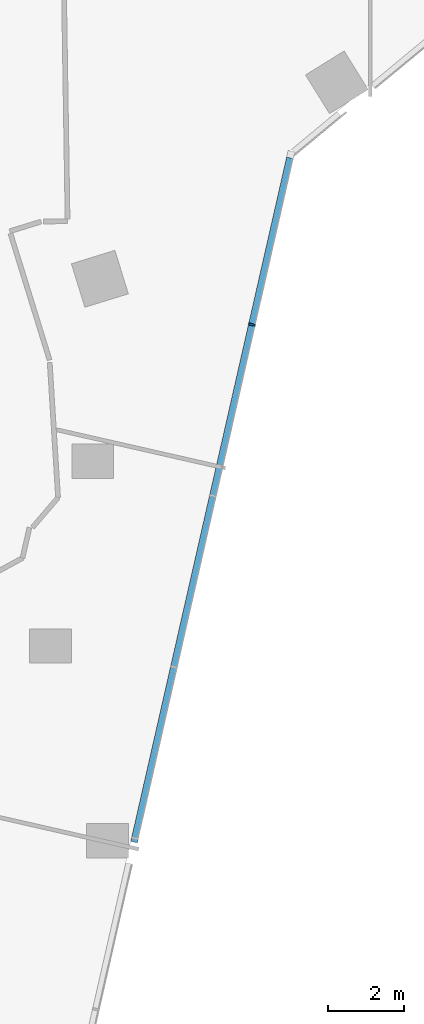
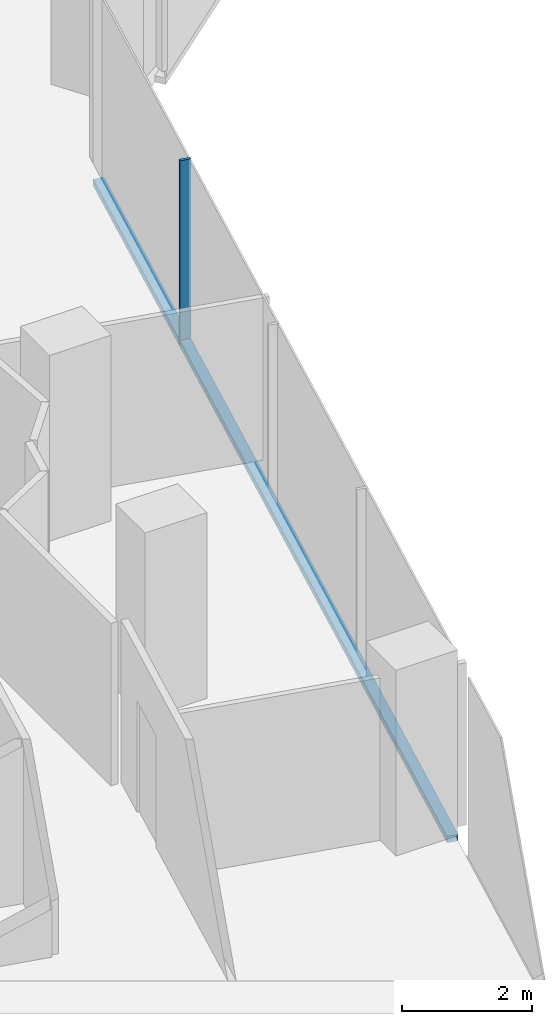
# One storey, part 6 of 24: 2 members, 1 element without a shape of its own.
"""IFC4 building model written with IfcOpenShell, lengths in metres."""

from ifc_helpers import new_model, si_unit, direction, frame, origin, origin_2d, place, context, subcontext, project, spatial, rectangle, extrude, material, material_profile, profile_set, type_object, element, aggregate, save


model = new_model("IFC4")

# Units and contexts
model_context = context("Model", 3, precision=1e-05, world=origin(), true_north=direction((0.0, 1.0)))
body_context = subcontext(model_context, "Body", "Model", "MODEL_VIEW")
ifc_project = project(units=[si_unit("LENGTHUNIT", "METRE"), si_unit("AREAUNIT", "SQUARE_METRE"), si_unit("VOLUMEUNIT", "CUBIC_METRE"), si_unit("PLANEANGLEUNIT", "RADIAN"), si_unit("MASSUNIT", "GRAM", prefix="KILO")], contexts=[model_context])

# Site, building, storey
site_placement = place(None, origin())
site = spatial("IfcSite", under=ifc_project, at=site_placement, CompositionType="ELEMENT")
building_placement = place(site_placement, origin())
building = spatial("IfcBuilding", under=site, at=building_placement, Name="Orlundy Tower", CompositionType="ELEMENT")
storey_placement = place(building_placement, frame((0.0, 0.0, 174.10009765625)))
storey = spatial("IfcBuildingStorey", under=building, at=storey_placement, Name="L45", CompositionType="ELEMENT", Elevation=174.10009765625)

# Curtain wall, members
ifc_material_1 = material(Name="Aluminium bronze anodised", Category="aluminium")
curtain_wall_type = type_object("IfcCurtainWallType", Name="CW1 wall", PredefinedType="NOTDEFINED", material=ifc_material_1)
curtain_wall_placement = place(storey_placement, origin())
curtain_wall = element("IfcCurtainWall", 1, at=curtain_wall_placement, inside=storey, type_object=curtain_wall_type, Name="CW1 run 018", PredefinedType="NOTDEFINED")
ifc_material_2 = material(Name="Aluminium bronze anodised", Category="aluminium")
ifc_material_profile_1 = material_profile(ifc_material_2, rectangle(XDim=0.179931640625, YDim=0.050048828125, at=origin_2d()), Name="CW1 mullion 50x180")
ifc_profile_set_1 = profile_set([ifc_material_profile_1], Name="Aluminium bronze anodised")
member_type_1 = type_object("IfcMemberType", Name="CW1 mullion 50x180", PredefinedType="MULLION", material=ifc_profile_set_1)
member_1_placement = place(storey_placement, frame((13.4033203125, -31.613037109375, -0.420166015625), z_axis=(0.0, 0.0, 1.0), x_axis=(0.975022425628, -0.222106437373, 0.0)))
member_1 = element("IfcMember", 2, at=member_1_placement, type_object=member_type_1, Name="CW1 mullion 44", PredefinedType="MULLION", context=body_context, shape_type="SweptSolid", body=[
    extrude(rectangle(XDim=0.179931640625, YDim=0.050048828125, at=origin_2d()), origin(), (0.0, 0.0, 1.0), 3.5),
])
ifc_material_3 = material(Name="Aluminium bronze anodised", Category="aluminium")
ifc_material_profile_2 = material_profile(ifc_material_3, rectangle(XDim=0.179931640625, YDim=0.1201171875, at=origin_2d()), Name="CW1 transom 180x120")
ifc_profile_set_2 = profile_set([ifc_material_profile_2], Name="Aluminium bronze anodised")
member_type_2 = type_object("IfcMemberType", Name="CW1 transom 180x120", PredefinedType="USERDEFINED", material=ifc_profile_set_2)
member_2_placement = place(storey_placement, frame((14.405029296875, -27.215576171875, -0.360107421875), z_axis=(-0.222113084939, -0.975020911314, 0.0), x_axis=(0.975020911314, -0.222113084939, 0.0)))
member_2 = element("IfcMember", 3, at=member_2_placement, type_object=member_type_2, Name="CW1 transom", ObjectType="TRANSOM", PredefinedType="USERDEFINED", context=body_context, shape_type="SweptSolid", body=[
    extrude(rectangle(XDim=0.179931640625, YDim=0.1201171875, at=origin_2d()), origin(), (0.0, 0.0, 1.0), 18.509033203125),
])
aggregate(curtain_wall, [member_1, member_2])

save(model, "model.ifc")
